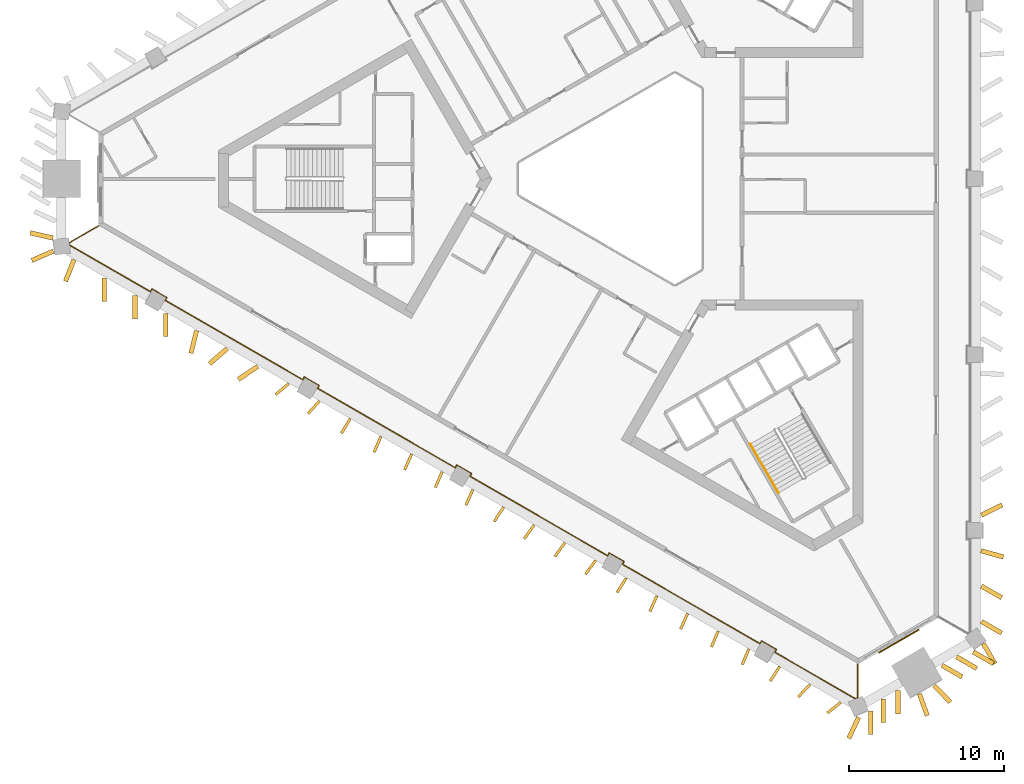
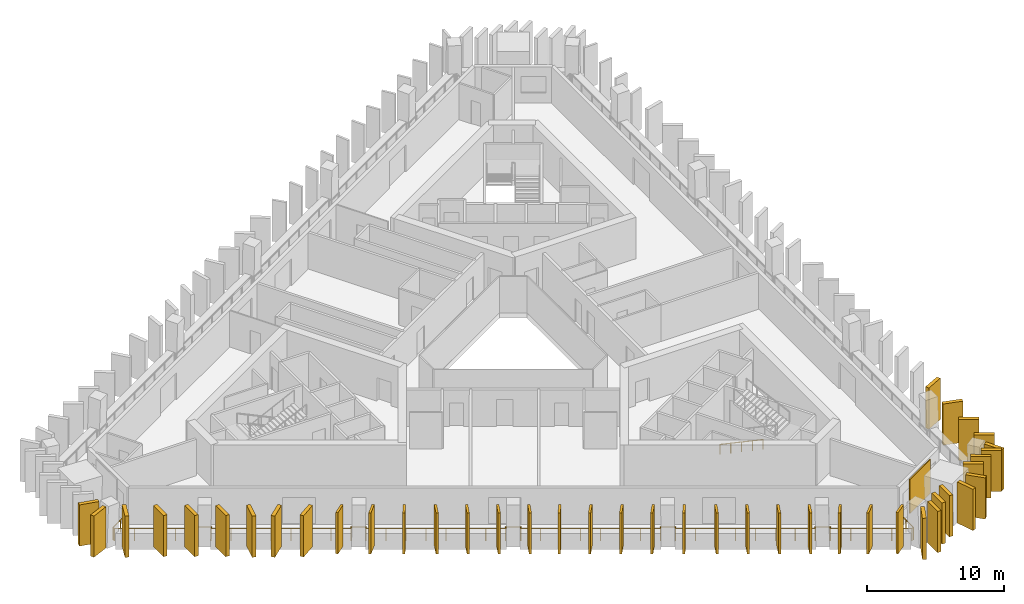
# One storey, part 7 of 10: 42 shading devices, 2 railings, 1 covering.
"""IFC4 building model written with IfcOpenShell, lengths in metres."""

from ifc_helpers import new_model, si_unit, direction, frame, frame_2d, origin, origin_2d, place, context, subcontext, project, spatial, rectangle, circle, extrude, material, layer, layer_set, type_object, element, save


model = new_model("IFC4")

# Units and contexts
model_context = context("Model", 3, precision=1e-05, world=origin(), true_north=direction((0.0, 1.0)))
body_context = subcontext(model_context, "Body", "Model", "MODEL_VIEW")
ifc_project = project(units=[si_unit("LENGTHUNIT", "METRE"), si_unit("AREAUNIT", "SQUARE_METRE"), si_unit("VOLUMEUNIT", "CUBIC_METRE"), si_unit("PLANEANGLEUNIT", "RADIAN"), si_unit("MASSUNIT", "GRAM", prefix="KILO")], contexts=[model_context])

# Site, building, storey
site_placement = place(None, origin())
site = spatial("IfcSite", under=ifc_project, at=site_placement, CompositionType="ELEMENT")
building_placement = place(site_placement, origin())
building = spatial("IfcBuilding", under=site, at=building_placement, Name="Jabali Bay Hotel Tower and Convention Centre", CompositionType="ELEMENT")
storey_placement = place(building_placement, frame((0.0, 0.0, 125.300048828125)))
storey = spatial("IfcBuildingStorey", under=building, at=storey_placement, Name="L30", CompositionType="ELEMENT", Elevation=125.300048828125)

# Railing
ifc_material_1 = material(Name="Glass", Category="glass")
railing_type_1 = type_object("IfcRailingType", Name="Loggia glass guard 1100", PredefinedType="BALUSTRADE", material=ifc_material_1)
railing_1_placement = place(storey_placement, frame((89.537841796875, 48.771240234375, 0.0)))
element("IfcRailing", 1, at=railing_1_placement, inside=storey, type_object=railing_type_1, Name="Loggia glass guard L30", PredefinedType="BALUSTRADE", context=body_context, shape_type="SweptSolid", body=[
    extrude(circle(Radius=0.02490234375, at=origin_2d()), frame((0.0, 0.0, 1.0751953125), z_axis=(0.0, -1.0, 0.0), x_axis=(0.991444861374, 0.0, 0.13052619222)), (0.0, 0.0, 1.0), 2.165283203125),
    extrude(circle(Radius=0.02490234375, at=origin_2d()), frame((0.0, -2.165283203125, 1.0751953125), z_axis=(-0.918901945155, -0.394486013934, 0.0), x_axis=(0.391111131399, -0.911040611631, 0.13052619222)), (0.0, 0.0, 1.0), 0.156005859375),
    extrude(circle(Radius=0.02490234375, at=origin_2d()), frame((-0.143310546875, -2.226806640625, 1.0751953125), z_axis=(-0.866012008506, 0.500023200586, 0.0), x_axis=(-0.495745432788, -0.858603155721, 0.13052619222)), (0.0, 0.0, 1.0), 5.996337890625),
    extrude(circle(Radius=0.02490234375, at=origin_2d()), frame((-5.336181640625, 0.771484375, 1.0751953125), z_axis=(0.499687197852, 0.866205924883, 0.0), x_axis=(-0.858795413117, 0.495412304605, 0.13052619222)), (0.0, 0.0, 1.0), 0.199951171875),
    extrude(circle(Radius=0.02490234375, at=origin_2d()), frame((-5.236328125, 0.944580078125, 1.0751953125), z_axis=(-0.866008176907, 0.50002983664, 0.0), x_axis=(-0.495752012071, -0.858599356902, 0.13052619222)), (0.0, 0.0, 1.0), 1.10009765625),
    extrude(circle(Radius=0.02490234375, at=origin_2d()), frame((-6.18896484375, 1.49462890625, 1.0751953125), z_axis=(-0.499687197852, -0.866205924883, 0.0), x_axis=(0.858795413117, -0.495412304605, 0.13052619222)), (0.0, 0.0, 1.0), 0.199951171875),
    extrude(circle(Radius=0.02490234375, at=origin_2d()), frame((-6.288818359375, 1.321533203125, 1.0751953125), z_axis=(-0.866027315309, 0.499996689128, 0.0), x_axis=(-0.49571914814, -0.858618331572, 0.13052619222)), (0.0, 0.0, 1.0), 10.2236328125),
    extrude(circle(Radius=0.02490234375, at=origin_2d()), frame((-15.142822265625, 6.433349609375, 1.0751953125), z_axis=(0.499687197852, 0.866205924883, 0.0), x_axis=(-0.858795413117, 0.495412304605, 0.13052619222)), (0.0, 0.0, 1.0), 0.199951171875),
    extrude(circle(Radius=0.02490234375, at=origin_2d()), frame((-15.04296875, 6.6064453125, 1.0751953125), z_axis=(-0.866008176907, 0.50002983664, 0.0), x_axis=(-0.495752012071, -0.858599356902, 0.13052619222)), (0.0, 0.0, 1.0), 1.10009765625),
    extrude(circle(Radius=0.02490234375, at=origin_2d()), frame((-15.99560546875, 7.156494140625, 1.0751953125), z_axis=(-0.499687197852, -0.866205924883, 0.0), x_axis=(0.858795413117, -0.495412304605, 0.13052619222)), (0.0, 0.0, 1.0), 0.199951171875),
    extrude(circle(Radius=0.02490234375, at=origin_2d()), frame((-16.095458984375, 6.9833984375, 1.0751953125), z_axis=(-0.866027315309, 0.499996689128, 0.0), x_axis=(-0.49571914814, -0.858618331572, 0.13052619222)), (0.0, 0.0, 1.0), 10.2236328125),
    extrude(circle(Radius=0.02490234375, at=origin_2d()), frame((-24.949462890625, 12.09521484375, 1.0751953125), z_axis=(0.499687197852, 0.866205924883, 0.0), x_axis=(-0.858795413117, 0.495412304605, 0.13052619222)), (0.0, 0.0, 1.0), 0.199951171875),
    extrude(circle(Radius=0.02490234375, at=origin_2d()), frame((-24.849609375, 12.268310546875, 1.0751953125), z_axis=(-0.866008176907, 0.50002983664, 0.0), x_axis=(-0.495752012071, -0.858599356902, 0.13052619222)), (0.0, 0.0, 1.0), 1.10009765625),
    extrude(circle(Radius=0.02490234375, at=origin_2d()), frame((-25.80224609375, 12.818359375, 1.0751953125), z_axis=(-0.499687197852, -0.866205924883, 0.0), x_axis=(0.858795413117, -0.495412304605, 0.13052619222)), (0.0, 0.0, 1.0), 0.199951171875),
    extrude(circle(Radius=0.02490234375, at=origin_2d()), frame((-25.902099609375, 12.645263671875, 1.0751953125), z_axis=(-0.866027315309, 0.499996689128, 0.0), x_axis=(-0.49571914814, -0.858618331572, 0.13052619222)), (0.0, 0.0, 1.0), 10.2236328125),
    extrude(circle(Radius=0.02490234375, at=origin_2d()), frame((-34.756103515625, 17.757080078125, 1.0751953125), z_axis=(0.499687197852, 0.866205924883, 0.0), x_axis=(-0.858795413117, 0.495412304605, 0.13052619222)), (0.0, 0.0, 1.0), 0.199951171875),
    extrude(circle(Radius=0.02490234375, at=origin_2d()), frame((-34.65625, 17.93017578125, 1.0751953125), z_axis=(-0.866008176907, 0.50002983664, 0.0), x_axis=(-0.495752012071, -0.858599356902, 0.13052619222)), (0.0, 0.0, 1.0), 1.10009765625),
    extrude(circle(Radius=0.02490234375, at=origin_2d()), frame((-35.60888671875, 18.480224609375, 1.0751953125), z_axis=(-0.499687197852, -0.866205924883, 0.0), x_axis=(0.858795413117, -0.495412304605, 0.13052619222)), (0.0, 0.0, 1.0), 0.199951171875),
    extrude(circle(Radius=0.02490234375, at=origin_2d()), frame((-35.708740234375, 18.30712890625, 1.0751953125), z_axis=(-0.866027315309, 0.499996689128, 0.0), x_axis=(-0.49571914814, -0.858618331572, 0.13052619222)), (0.0, 0.0, 1.0), 10.2236328125),
    extrude(circle(Radius=0.02490234375, at=origin_2d()), frame((-44.562744140625, 23.4189453125, 1.0751953125), z_axis=(0.499687197852, 0.866205924883, 0.0), x_axis=(-0.858795413117, 0.495412304605, 0.13052619222)), (0.0, 0.0, 1.0), 0.199951171875),
    extrude(circle(Radius=0.02490234375, at=origin_2d()), frame((-44.462890625, 23.592041015625, 1.0751953125), z_axis=(-0.865952669392, 0.500125958508, 0.0), x_axis=(-0.495847311602, -0.858544324261, 0.13052619222)), (0.0, 0.0, 1.0), 1.099853515625),
    extrude(circle(Radius=0.02490234375, at=origin_2d()), frame((-45.415283203125, 24.14208984375, 1.0751953125), z_axis=(-0.500603037456, -0.865676959893, 0.0), x_axis=(0.858270973496, -0.496320309074, 0.13052619222)), (0.0, 0.0, 1.0), 0.199951171875),
    extrude(circle(Radius=0.02490234375, at=origin_2d()), frame((-45.515380859375, 23.968994140625, 1.0751953125), z_axis=(-0.866039817231, 0.499975034347, 0.0), x_axis=(-0.495697678619, -0.858630726539, 0.13052619222)), (0.0, 0.0, 1.0), 5.996337890625),
    extrude(circle(Radius=0.02490234375, at=origin_2d()), frame((-50.70849609375, 26.967041015625, 1.0751953125), z_axis=(-0.117477392411, 0.993075557182, 0.0), x_axis=(-0.984579658124, -0.116472357034, 0.13052619222)), (0.0, 0.0, 1.0), 0.15576171875),
    extrude(circle(Radius=0.02490234375, at=origin_2d()), frame((-50.726806640625, 27.121826171875, 1.0751953125), z_axis=(0.866056034881, 0.49994694163, 0.0), x_axis=(-0.495669826239, 0.858646805445, 0.13052619222)), (0.0, 0.0, 1.0), 2.165283203125),
    extrude(circle(Radius=0.02001953125, at=origin_2d()), origin(), (0.0, 0.0, 1.0), 1.050048828125),
    extrude(circle(Radius=0.02001953125, at=origin_2d()), frame((0.0, -1.08251953125, 0.0)), (0.0, 0.0, 1.0), 1.050048828125),
    extrude(circle(Radius=0.02001953125, at=origin_2d()), frame((0.0, -2.165283203125, 0.0)), (0.0, 0.0, 1.0), 1.050048828125),
    extrude(circle(Radius=0.02001953125, at=origin_2d()), frame((-0.143310546875, -2.226806640625, 0.0)), (0.0, 0.0, 1.0), 1.050048828125),
    extrude(circle(Radius=0.02001953125, at=origin_2d()), frame((-1.44140625, -1.477294921875, 0.0)), (0.0, 0.0, 1.0), 1.050048828125),
    extrude(circle(Radius=0.02001953125, at=origin_2d()), frame((-2.73974609375, -0.7275390625, 0.0)), (0.0, 0.0, 1.0), 1.050048828125),
    extrude(circle(Radius=0.02001953125, at=origin_2d()), frame((-4.0380859375, 0.02197265625, 0.0)), (0.0, 0.0, 1.0), 1.050048828125),
    extrude(circle(Radius=0.02001953125, at=origin_2d()), frame((-5.336181640625, 0.771484375, 0.0)), (0.0, 0.0, 1.0), 1.050048828125),
    extrude(circle(Radius=0.02001953125, at=origin_2d()), frame((-5.236328125, 0.944580078125, 0.0)), (0.0, 0.0, 1.0), 1.050048828125),
    extrude(circle(Radius=0.02001953125, at=origin_2d()), frame((-6.18896484375, 1.49462890625, 0.0)), (0.0, 0.0, 1.0), 1.050048828125),
    extrude(circle(Radius=0.02001953125, at=origin_2d()), frame((-6.288818359375, 1.321533203125, 0.0)), (0.0, 0.0, 1.0), 1.050048828125),
    extrude(circle(Radius=0.02001953125, at=origin_2d()), frame((-7.5537109375, 2.0517578125, 0.0)), (0.0, 0.0, 1.0), 1.050048828125),
    extrude(circle(Radius=0.02001953125, at=origin_2d()), frame((-8.818603515625, 2.781982421875, 0.0)), (0.0, 0.0, 1.0), 1.050048828125),
    extrude(circle(Radius=0.02001953125, at=origin_2d()), frame((-10.08349609375, 3.51220703125, 0.0)), (0.0, 0.0, 1.0), 1.050048828125),
    extrude(circle(Radius=0.02001953125, at=origin_2d()), frame((-11.34814453125, 4.24267578125, 0.0)), (0.0, 0.0, 1.0), 1.050048828125),
    extrude(circle(Radius=0.02001953125, at=origin_2d()), frame((-12.613037109375, 4.972900390625, 0.0)), (0.0, 0.0, 1.0), 1.050048828125),
    extrude(circle(Radius=0.02001953125, at=origin_2d()), frame((-13.8779296875, 5.703125, 0.0)), (0.0, 0.0, 1.0), 1.050048828125),
    extrude(circle(Radius=0.02001953125, at=origin_2d()), frame((-15.142822265625, 6.433349609375, 0.0)), (0.0, 0.0, 1.0), 1.050048828125),
    extrude(circle(Radius=0.02001953125, at=origin_2d()), frame((-15.04296875, 6.6064453125, 0.0)), (0.0, 0.0, 1.0), 1.050048828125),
    extrude(circle(Radius=0.02001953125, at=origin_2d()), frame((-15.99560546875, 7.156494140625, 0.0)), (0.0, 0.0, 1.0), 1.050048828125),
    extrude(circle(Radius=0.02001953125, at=origin_2d()), frame((-16.095458984375, 6.9833984375, 0.0)), (0.0, 0.0, 1.0), 1.050048828125),
    extrude(circle(Radius=0.02001953125, at=origin_2d()), frame((-17.3603515625, 7.713623046875, 0.0)), (0.0, 0.0, 1.0), 1.050048828125),
    extrude(circle(Radius=0.02001953125, at=origin_2d()), frame((-18.625244140625, 8.44384765625, 0.0)), (0.0, 0.0, 1.0), 1.050048828125),
    extrude(circle(Radius=0.02001953125, at=origin_2d()), frame((-19.89013671875, 9.174072265625, 0.0)), (0.0, 0.0, 1.0), 1.050048828125),
    extrude(circle(Radius=0.02001953125, at=origin_2d()), frame((-21.15478515625, 9.904541015625, 0.0)), (0.0, 0.0, 1.0), 1.050048828125),
    extrude(circle(Radius=0.02001953125, at=origin_2d()), frame((-22.419677734375, 10.634765625, 0.0)), (0.0, 0.0, 1.0), 1.050048828125),
    extrude(circle(Radius=0.02001953125, at=origin_2d()), frame((-23.6845703125, 11.364990234375, 0.0)), (0.0, 0.0, 1.0), 1.050048828125),
    extrude(circle(Radius=0.02001953125, at=origin_2d()), frame((-24.949462890625, 12.09521484375, 0.0)), (0.0, 0.0, 1.0), 1.050048828125),
    extrude(circle(Radius=0.02001953125, at=origin_2d()), frame((-24.849609375, 12.268310546875, 0.0)), (0.0, 0.0, 1.0), 1.050048828125),
    extrude(circle(Radius=0.02001953125, at=origin_2d()), frame((-25.80224609375, 12.818359375, 0.0)), (0.0, 0.0, 1.0), 1.050048828125),
    extrude(circle(Radius=0.02001953125, at=origin_2d()), frame((-25.902099609375, 12.645263671875, 0.0)), (0.0, 0.0, 1.0), 1.050048828125),
    extrude(circle(Radius=0.02001953125, at=origin_2d()), frame((-27.1669921875, 13.37548828125, 0.0)), (0.0, 0.0, 1.0), 1.050048828125),
    extrude(circle(Radius=0.02001953125, at=origin_2d()), frame((-28.431884765625, 14.105712890625, 0.0)), (0.0, 0.0, 1.0), 1.050048828125),
    extrude(circle(Radius=0.02001953125, at=origin_2d()), frame((-29.69677734375, 14.8359375, 0.0)), (0.0, 0.0, 1.0), 1.050048828125),
    extrude(circle(Radius=0.02001953125, at=origin_2d()), frame((-30.96142578125, 15.56640625, 0.0)), (0.0, 0.0, 1.0), 1.050048828125),
    extrude(circle(Radius=0.02001953125, at=origin_2d()), frame((-32.226318359375, 16.296630859375, 0.0)), (0.0, 0.0, 1.0), 1.050048828125),
    extrude(circle(Radius=0.02001953125, at=origin_2d()), frame((-33.4912109375, 17.02685546875, 0.0)), (0.0, 0.0, 1.0), 1.050048828125),
    extrude(circle(Radius=0.02001953125, at=origin_2d()), frame((-34.756103515625, 17.757080078125, 0.0)), (0.0, 0.0, 1.0), 1.050048828125),
    extrude(circle(Radius=0.02001953125, at=origin_2d()), frame((-34.65625, 17.93017578125, 0.0)), (0.0, 0.0, 1.0), 1.050048828125),
    extrude(circle(Radius=0.02001953125, at=origin_2d()), frame((-35.60888671875, 18.480224609375, 0.0)), (0.0, 0.0, 1.0), 1.050048828125),
    extrude(circle(Radius=0.02001953125, at=origin_2d()), frame((-35.708740234375, 18.30712890625, 0.0)), (0.0, 0.0, 1.0), 1.050048828125),
    extrude(circle(Radius=0.02001953125, at=origin_2d()), frame((-36.9736328125, 19.037353515625, 0.0)), (0.0, 0.0, 1.0), 1.050048828125),
    extrude(circle(Radius=0.02001953125, at=origin_2d()), frame((-38.238525390625, 19.767578125, 0.0)), (0.0, 0.0, 1.0), 1.050048828125),
    extrude(circle(Radius=0.02001953125, at=origin_2d()), frame((-39.50341796875, 20.497802734375, 0.0)), (0.0, 0.0, 1.0), 1.050048828125),
    extrude(circle(Radius=0.02001953125, at=origin_2d()), frame((-40.76806640625, 21.228271484375, 0.0)), (0.0, 0.0, 1.0), 1.050048828125),
    extrude(circle(Radius=0.02001953125, at=origin_2d()), frame((-42.032958984375, 21.95849609375, 0.0)), (0.0, 0.0, 1.0), 1.050048828125),
    extrude(circle(Radius=0.02001953125, at=origin_2d()), frame((-43.2978515625, 22.688720703125, 0.0)), (0.0, 0.0, 1.0), 1.050048828125),
    extrude(circle(Radius=0.02001953125, at=origin_2d()), frame((-44.562744140625, 23.4189453125, 0.0)), (0.0, 0.0, 1.0), 1.050048828125),
    extrude(circle(Radius=0.02001953125, at=origin_2d()), frame((-44.462890625, 23.592041015625, 0.0)), (0.0, 0.0, 1.0), 1.050048828125),
    extrude(circle(Radius=0.02001953125, at=origin_2d()), frame((-45.415283203125, 24.14208984375, 0.0)), (0.0, 0.0, 1.0), 1.050048828125),
    extrude(circle(Radius=0.02001953125, at=origin_2d()), frame((-45.515380859375, 23.968994140625, 0.0)), (0.0, 0.0, 1.0), 1.050048828125),
    extrude(circle(Radius=0.02001953125, at=origin_2d()), frame((-46.813720703125, 24.718505859375, 0.0)), (0.0, 0.0, 1.0), 1.050048828125),
    extrude(circle(Radius=0.02001953125, at=origin_2d()), frame((-48.11181640625, 25.468017578125, 0.0)), (0.0, 0.0, 1.0), 1.050048828125),
    extrude(circle(Radius=0.02001953125, at=origin_2d()), frame((-49.41015625, 26.217529296875, 0.0)), (0.0, 0.0, 1.0), 1.050048828125),
    extrude(circle(Radius=0.02001953125, at=origin_2d()), frame((-50.70849609375, 26.967041015625, 0.0)), (0.0, 0.0, 1.0), 1.050048828125),
    extrude(circle(Radius=0.02001953125, at=origin_2d()), frame((-50.726806640625, 27.121826171875, 0.0)), (0.0, 0.0, 1.0), 1.050048828125),
    extrude(circle(Radius=0.02001953125, at=origin_2d()), frame((-49.7890625, 27.6630859375, 0.0)), (0.0, 0.0, 1.0), 1.050048828125),
    extrude(circle(Radius=0.02001953125, at=origin_2d()), frame((-48.8515625, 28.204345703125, 0.0)), (0.0, 0.0, 1.0), 1.050048828125),
])

# Shading devices
ifc_material_2 = material(Name="Precast concrete C60", Category="concrete")
ifc_layer_1 = layer(ifc_material_2, 0.179931640625)
ifc_layer_set_1 = layer_set([ifc_layer_1], Name="Precast concrete C60")
shading_device_type_1 = type_object("IfcShadingDeviceType", Name="Precast fin 3680 x 1100", PredefinedType="USERDEFINED", material=ifc_layer_set_1)
for number, where, z_axis, x_axis, name in (
    (2, (52.923095703125, 66.823974609375, 0.010009765625), (0.0, 0.0, 1.0), (-0.765905945108, -0.642952629086, 0.0), "Fin L30 075"),
    (3, (54.90185546875, 65.6943359375, 0.010009765625), (0.0, 0.0, 1.0), (-0.677551584778, -0.735475254489, 0.0), "Fin L30 076"),
):
    element("IfcShadingDevice", number, at=place(storey_placement, frame(where, z_axis=z_axis, x_axis=x_axis)), inside=storey, type_object=shading_device_type_1, Name=name, ObjectType="FIN", PredefinedType="USERDEFINED", context=body_context, shape_type="SweptSolid", body=[
        extrude(rectangle(XDim=1.10009765625, YDim=0.179931640625, at=frame_2d((0.550048828125, 0.0))), origin(), (0.0, 0.0, 1.0), 3.679931640625),
    ])
for number, where, z_axis, x_axis, name in (
    (4, (56.8837890625, 64.570556640625, 0.010009765625), (0.0, 0.0, 1.0), (-0.517691508938, -0.855567356538, 0.0), "Fin L30 077"),
    (5, (58.8525390625, 63.423828125, 0.010009765625), (0.0, 0.0, 1.0), (-0.392874287819, -0.919592188946, 0.0), "Fin L30 078"),
):
    element("IfcShadingDevice", number, at=place(storey_placement, frame(where, z_axis=z_axis, x_axis=x_axis)), inside=storey, type_object=shading_device_type_1, Name=name, ObjectType="FIN", PredefinedType="USERDEFINED", context=body_context, shape_type="SweptSolid", body=[
        extrude(rectangle(XDim=1.099853515625, YDim=0.179931640625, at=frame_2d((0.5498046875, 0.0))), origin(), (0.0, 0.0, 1.0), 3.679931640625),
    ])
shading_device_1_placement = place(storey_placement, frame((60.826171875, 62.285400390625, 0.010009765625), z_axis=(0.0, 0.0, 1.0), x_axis=(-0.401645170171, -0.915795368671, 0.0)))
element("IfcShadingDevice", 6, at=shading_device_1_placement, inside=storey, type_object=shading_device_type_1, Name="Fin L30 079", ObjectType="FIN", PredefinedType="USERDEFINED", context=body_context, shape_type="SweptSolid", body=[
    extrude(rectangle(XDim=1.10009765625, YDim=0.179931640625, at=frame_2d((0.550048828125, 0.0))), origin(), (0.0, 0.0, 1.0), 3.679931640625),
])
shading_device_2_placement = place(storey_placement, frame((62.79931640625, 61.146240234375, 0.010009765625), z_axis=(0.0, 0.0, 1.0), x_axis=(-0.40463453247, -0.914478482597, 0.0)))
element("IfcShadingDevice", 7, at=shading_device_2_placement, inside=storey, type_object=shading_device_type_1, Name="Fin L30 080", ObjectType="FIN", PredefinedType="USERDEFINED", context=body_context, shape_type="SweptSolid", body=[
    extrude(rectangle(XDim=1.099853515625, YDim=0.179931640625, at=frame_2d((0.5498046875, 0.0))), origin(), (0.0, 0.0, 1.0), 3.679931640625),
])
for number, where, z_axis, x_axis, name in (
    (8, (64.772705078125, 60.00732421875, 0.010009765625), (0.0, 0.0, 1.0), (-0.405911946598, -0.913912190317, 0.0), "Fin L30 081"),
    (9, (66.748046875, 58.872314453125, 0.010009765625), (0.0, 0.0, 1.0), (-0.544364177933, -0.838848998201, 0.0), "Fin L30 082"),
    (10, (68.718994140625, 57.72900390625, 0.010009765625), (0.0, 0.0, 1.0), (-0.587894549619, -0.808937573938, 0.0), "Fin L30 083"),
    (11, (70.692138671875, 56.58984375, 0.010009765625), (0.0, 0.0, 1.0), (-0.587894549619, -0.808937573938, 0.0), "Fin L30 084"),
    (12, (72.665283203125, 55.45068359375, 0.010009765625), (0.0, 0.0, 1.0), (-0.588039748242, -0.808832031072, 0.0), "Fin L30 085"),
):
    element("IfcShadingDevice", number, at=place(storey_placement, frame(where, z_axis=z_axis, x_axis=x_axis)), inside=storey, type_object=shading_device_type_1, Name=name, ObjectType="FIN", PredefinedType="USERDEFINED", context=body_context, shape_type="SweptSolid", body=[
        extrude(rectangle(XDim=1.10009765625, YDim=0.179931640625, at=frame_2d((0.550048828125, 0.0))), origin(), (0.0, 0.0, 1.0), 3.679931640625),
    ])
for number, where, z_axis, x_axis, name in (
    (13, (74.640869140625, 54.31591796875, 0.010009765625), (0.0, 0.0, 1.0), (-0.53892771784, -0.842352013676, 0.0), "Fin L30 086"),
    (14, (76.611328125, 53.172119140625, 0.010009765625), (0.0, 0.0, 1.0), (-0.405726556835, -0.913994508232, 0.0), "Fin L30 087"),
):
    element("IfcShadingDevice", number, at=place(storey_placement, frame(where, z_axis=z_axis, x_axis=x_axis)), inside=storey, type_object=shading_device_type_1, Name=name, ObjectType="FIN", PredefinedType="USERDEFINED", context=body_context, shape_type="SweptSolid", body=[
        extrude(rectangle(XDim=1.099853515625, YDim=0.179931640625, at=frame_2d((0.5498046875, 0.0))), origin(), (0.0, 0.0, 1.0), 3.679931640625),
    ])
shading_device_3_placement = place(storey_placement, frame((78.58447265625, 52.03271484375, 0.010009765625), z_axis=(0.0, 0.0, 1.0), x_axis=(-0.404366794025, -0.914596903499, 0.0)))
element("IfcShadingDevice", 15, at=shading_device_3_placement, inside=storey, type_object=shading_device_type_1, Name="Fin L30 088", ObjectType="FIN", PredefinedType="USERDEFINED", context=body_context, shape_type="SweptSolid", body=[
    extrude(rectangle(XDim=1.10009765625, YDim=0.179931640625, at=frame_2d((0.550048828125, 0.0))), origin(), (0.0, 0.0, 1.0), 3.679931640625),
])
for number, where, z_axis, x_axis, name in (
    (16, (80.557373046875, 50.893310546875, 0.010009765625), (0.0, 0.0, 1.0), (-0.400632527332, -0.916238821511, 0.0), "Fin L30 089"),
    (17, (82.530029296875, 49.753173828125, 0.010009765625), (0.0, 0.0, 1.0), (-0.389763082278, -0.920915164221, 0.0), "Fin L30 090"),
):
    element("IfcShadingDevice", number, at=place(storey_placement, frame(where, z_axis=z_axis, x_axis=x_axis)), inside=storey, type_object=shading_device_type_1, Name=name, ObjectType="FIN", PredefinedType="USERDEFINED", context=body_context, shape_type="SweptSolid", body=[
        extrude(rectangle(XDim=1.099853515625, YDim=0.179931640625, at=frame_2d((0.5498046875, 0.0))), origin(), (0.0, 0.0, 1.0), 3.679931640625),
    ])
shading_device_4_placement = place(storey_placement, frame((84.50634765625, 48.61962890625, 0.010009765625), z_axis=(0.0, 0.0, 1.0), x_axis=(-0.543536523761, -0.839385517708, 0.0)))
element("IfcShadingDevice", 18, at=shading_device_4_placement, inside=storey, type_object=shading_device_type_1, Name="Fin L30 091", ObjectType="FIN", PredefinedType="USERDEFINED", context=body_context, shape_type="SweptSolid", body=[
    extrude(rectangle(XDim=1.10009765625, YDim=0.179931640625, at=frame_2d((0.550048828125, 0.0))), origin(), (0.0, 0.0, 1.0), 3.679931640625),
])
for number, where, z_axis, x_axis, name in (
    (19, (86.470947265625, 47.465576171875, 0.010009765625), (0.0, 0.0, 1.0), (-0.693663015048, -0.720299674826, 0.0), "Fin L30 092"),
    (20, (88.4384765625, 46.316650390625, 0.010009765625), (0.0, 0.0, 1.0), (-0.782382283381, -0.622798492814, 0.0), "Fin L30 093"),
):
    element("IfcShadingDevice", number, at=place(storey_placement, frame(where, z_axis=z_axis, x_axis=x_axis)), inside=storey, type_object=shading_device_type_1, Name=name, ObjectType="FIN", PredefinedType="USERDEFINED", context=body_context, shape_type="SweptSolid", body=[
        extrude(rectangle(XDim=1.099853515625, YDim=0.179931640625, at=frame_2d((0.5498046875, 0.0))), origin(), (0.0, 0.0, 1.0), 3.679931640625),
    ])
ifc_layer_2 = layer(ifc_material_2, 0.300048828125)
ifc_layer_set_2 = layer_set([ifc_layer_2], Name="Precast concrete C60")
shading_device_type_2 = type_object("IfcShadingDeviceType", Name="Precast fin 3680 x 1500", PredefinedType="USERDEFINED", material=ifc_layer_set_2)
shading_device_5_placement = place(storey_placement, frame((97.4931640625, 51.520263671875, 0.010009765625), z_axis=(0.0, 0.0, 1.0), x_axis=(0.867299949888, -0.497785894662, 0.0)))
element("IfcShadingDevice", 21, at=shading_device_5_placement, inside=storey, type_object=shading_device_type_2, Name="Fin L30 000", ObjectType="FIN", PredefinedType="USERDEFINED", context=body_context, shape_type="SweptSolid", body=[
    extrude(rectangle(XDim=1.499755859375, YDim=0.300048828125, at=frame_2d((0.75, 0.0))), origin(), (0.0, 0.0, 1.0), 3.679931640625),
])
shading_device_6_placement = place(storey_placement, frame((97.4931640625, 53.798583984375, 0.010009765625), z_axis=(0.0, 0.0, 1.0), x_axis=(0.867229669326, -0.497908325538, 0.0)))
element("IfcShadingDevice", 22, at=shading_device_6_placement, inside=storey, type_object=shading_device_type_2, Name="Fin L30 001", ObjectType="FIN", PredefinedType="USERDEFINED", context=body_context, shape_type="SweptSolid", body=[
    extrude(rectangle(XDim=1.5, YDim=0.300048828125, at=frame_2d((0.75, 0.0))), origin(), (0.0, 0.0, 1.0), 3.679931640625),
])
for number, where, z_axis, x_axis, name in (
    (23, (97.459228515625, 56.076904296875, 0.010009765625), (0.0, 0.0, 1.0), (0.962342735063, -0.271839033754, 0.0), "Fin L30 002"),
    (24, (97.4853515625, 58.35546875, 0.010009765625), (0.0, 0.0, 1.0), (0.895174764912, 0.445715313026, 0.0), "Fin L30 003"),
):
    element("IfcShadingDevice", number, at=place(storey_placement, frame(where, z_axis=z_axis, x_axis=x_axis)), inside=storey, type_object=shading_device_type_2, Name=name, ObjectType="FIN", PredefinedType="USERDEFINED", context=body_context, shape_type="SweptSolid", body=[
        extrude(rectangle(XDim=1.499755859375, YDim=0.300048828125, at=frame_2d((0.75, 0.0))), origin(), (0.0, 0.0, 1.0), 3.679931640625),
    ])
for number, where, z_axis, x_axis, name in (
    (25, (37.755615234375, 76.19189453125, 0.010009765625), (0.0, 0.0, 1.0), (-0.974749296092, 0.223302059482, 0.0), "Fin L30 067"),
    (26, (39.11572265625, 74.80615234375, 0.010009765625), (0.0, 0.0, 1.0), (-0.36894818278, -0.92944996553, 0.0), "Fin L30 068"),
    (27, (41.0625, 73.62109375, 0.010009765625), (0.0, 0.0, 1.0), (-0.002441398974, -0.999997019781, 0.0), "Fin L30 069"),
    (28, (43.03564453125, 72.48193359375, 0.010009765625), (0.0, 0.0, 1.0), (-0.002604157836, -0.999996609175, 0.0), "Fin L30 070"),
    (29, (45.0087890625, 71.3427734375, 0.010009765625), (0.0, 0.0, 1.0), (-0.003417948785, -0.999994158796, 0.0), "Fin L30 071"),
):
    element("IfcShadingDevice", number, at=place(storey_placement, frame(where, z_axis=z_axis, x_axis=x_axis)), inside=storey, type_object=shading_device_type_2, Name=name, ObjectType="FIN", PredefinedType="USERDEFINED", context=body_context, shape_type="SweptSolid", body=[
        extrude(rectangle(XDim=1.5, YDim=0.300048828125, at=frame_2d((0.75, 0.0))), origin(), (0.0, 0.0, 1.0), 3.679931640625),
    ])
shading_device_7_placement = place(storey_placement, frame((46.99853515625, 70.232421875, 0.010009765625), z_axis=(0.0, 0.0, 1.0), x_axis=(-0.242535625036, -0.970142500145, 0.0)))
element("IfcShadingDevice", 30, at=shading_device_7_placement, inside=storey, type_object=shading_device_type_2, Name="Fin L30 072", ObjectType="FIN", PredefinedType="USERDEFINED", context=body_context, shape_type="SweptSolid", body=[
    extrude(rectangle(XDim=1.499755859375, YDim=0.300048828125, at=frame_2d((0.75, 0.0))), origin(), (0.0, 0.0, 1.0), 3.679931640625),
])
for number, where, z_axis, x_axis, name in (
    (31, (48.967529296875, 69.086181640625, 0.010009765625), (0.0, 0.0, 1.0), (-0.757046219437, -0.653361325483, 0.0), "Fin L30 073"),
    (32, (50.932373046875, 67.932373046875, 0.010009765625), (0.0, 0.0, 1.0), (-0.831072421497, -0.556164211566, 0.0), "Fin L30 074"),
    (33, (90.372314453125, 45.758056640625, 0.010009765625), (0.0, 0.0, 1.0), (0.002278639918, -0.999997403897, 0.0), "Fin L30 094"),
    (34, (91.181884765625, 46.531982421875, 0.010009765625), (0.0, 0.0, 1.0), (0.002278639918, -0.999997403897, 0.0), "Fin L30 095"),
    (35, (92.124267578125, 47.075927734375, 0.010009765625), (0.0, 0.0, 1.0), (0.00211588068, -0.999997761522, 0.0), "Fin L30 096"),
    (36, (93.49853515625, 46.871826171875, 0.010009765625), (0.0, 0.0, 1.0), (0.341455556596, -0.939897921516, 0.0), "Fin L30 097"),
    (37, (94.446044921875, 47.40673828125, 0.010009765625), (0.0, 0.0, 1.0), (0.69628308628, -0.71776727688, 0.0), "Fin L30 098"),
    (38, (94.950927734375, 48.7080078125, 0.010009765625), (0.0, 0.0, 1.0), (0.864898360543, -0.501947034986, 0.0), "Fin L30 099"),
    (39, (95.893310546875, 49.251953125, 0.010009765625), (0.0, 0.0, 1.0), (0.864898360543, -0.501947034986, 0.0), "Fin L30 100"),
    (40, (96.96826171875, 49.566162109375, 0.010009765625), (0.0, 0.0, 1.0), (0.864898360543, -0.501947034986, 0.0), "Fin L30 101"),
    (41, (97.61328125, 50.099853515625, 0.010009765625), (0.0, 0.0, 1.0), (0.502453538893, -0.864604210754, 0.0), "Fin L30 102"),
    (42, (37.774169921875, 75.35205078125, 0.010009765625), (0.0, 0.0, 1.0), (-0.915641107942, -0.401996718204, 0.0), "Fin L30 106"),
):
    element("IfcShadingDevice", number, at=place(storey_placement, frame(where, z_axis=z_axis, x_axis=x_axis)), inside=storey, type_object=shading_device_type_2, Name=name, ObjectType="FIN", PredefinedType="USERDEFINED", context=body_context, shape_type="SweptSolid", body=[
        extrude(rectangle(XDim=1.5, YDim=0.300048828125, at=frame_2d((0.75, 0.0))), origin(), (0.0, 0.0, 1.0), 3.679931640625),
    ])
shading_device_8_placement = place(storey_placement, frame((89.587646484375, 45.36376953125, 0.010009765625), z_axis=(0.0, 0.0, 1.0), x_axis=(-0.418335476131, -0.908292590199, 0.0)))
element("IfcShadingDevice", 43, at=shading_device_8_placement, inside=storey, type_object=shading_device_type_2, Name="Fin L30 107", ObjectType="FIN", PredefinedType="USERDEFINED", context=body_context, shape_type="SweptSolid", body=[
    extrude(rectangle(XDim=1.499755859375, YDim=0.300048828125, at=frame_2d((0.75, 0.0))), origin(), (0.0, 0.0, 1.0), 3.679931640625),
])

# Covering
ifc_material_3 = material(Name="Precast concrete C40/50", Category="concrete")
ifc_layer_3 = layer(ifc_material_3, 0.080078125)
ifc_layer_set_3 = layer_set([ifc_layer_3], Name="Precast concrete C40/50")
covering_type = type_object("IfcCoveringType", Name="Relief panel 3000 x 3050", PredefinedType="CLADDING", material=ifc_layer_set_3)
covering_placement = place(storey_placement, frame((92.1767578125, 50.248779296875, 0.10009765625), z_axis=(0.0, 0.0, 1.0), x_axis=(-0.86602538271, -0.500000036503, 0.0)))
element("IfcCovering", 44, at=covering_placement, inside=storey, type_object=covering_type, Name="Relief panel L30", PredefinedType="CLADDING", context=body_context, shape_type="SweptSolid", body=[
    extrude(rectangle(XDim=3.0, YDim=0.080078125, at=origin_2d()), origin(), (0.0, 0.0, 1.0), 3.050048828125),
])

# Railing
ifc_material_4 = material(Name="Steel Q355B", Category="steel")
railing_type_2 = type_object("IfcRailingType", Name="Stair handrail 900", PredefinedType="HANDRAIL", material=ifc_material_4)
railing_2_placement = place(storey_placement, frame((82.622802734375, 62.94677734375, 0.132080078125)))
element("IfcRailing", 45, at=railing_2_placement, inside=storey, type_object=railing_type_2, Name="L30 ST3 stair handrail 1", PredefinedType="HANDRAIL", context=body_context, shape_type="SweptSolid", body=[
    extrude(circle(Radius=0.02392578125, at=origin_2d()), frame((0.0, 0.0, 0.8759765625), z_axis=(0.452190331055, -0.783190014029, 0.426775475427), x_axis=(0.866018046521, 0.500012742938, 0.0)), (0.0, 0.0, 1.0), 4.02490234375),
    extrude(circle(Radius=0.02099609375, at=origin_2d()), origin(), (0.0, 0.0, 1.0), 0.851806640625),
    extrude(circle(Radius=0.02099609375, at=origin_2d()), frame((0.455078125, -0.7880859375, 0.429443359375)), (0.0, 0.0, 1.0), 0.851806640625),
    extrude(circle(Radius=0.02099609375, at=origin_2d()), frame((0.91015625, -1.576171875, 0.85888671875)), (0.0, 0.0, 1.0), 0.851806640625),
    extrude(circle(Radius=0.02099609375, at=origin_2d()), frame((1.364990234375, -2.3642578125, 1.288330078125)), (0.0, 0.0, 1.0), 0.851806640625),
    extrude(circle(Radius=0.02099609375, at=origin_2d()), frame((1.820068359375, -3.15234375, 1.7177734375)), (0.0, 0.0, 1.0), 0.851806640625),
])

save(model, "model.ifc")
